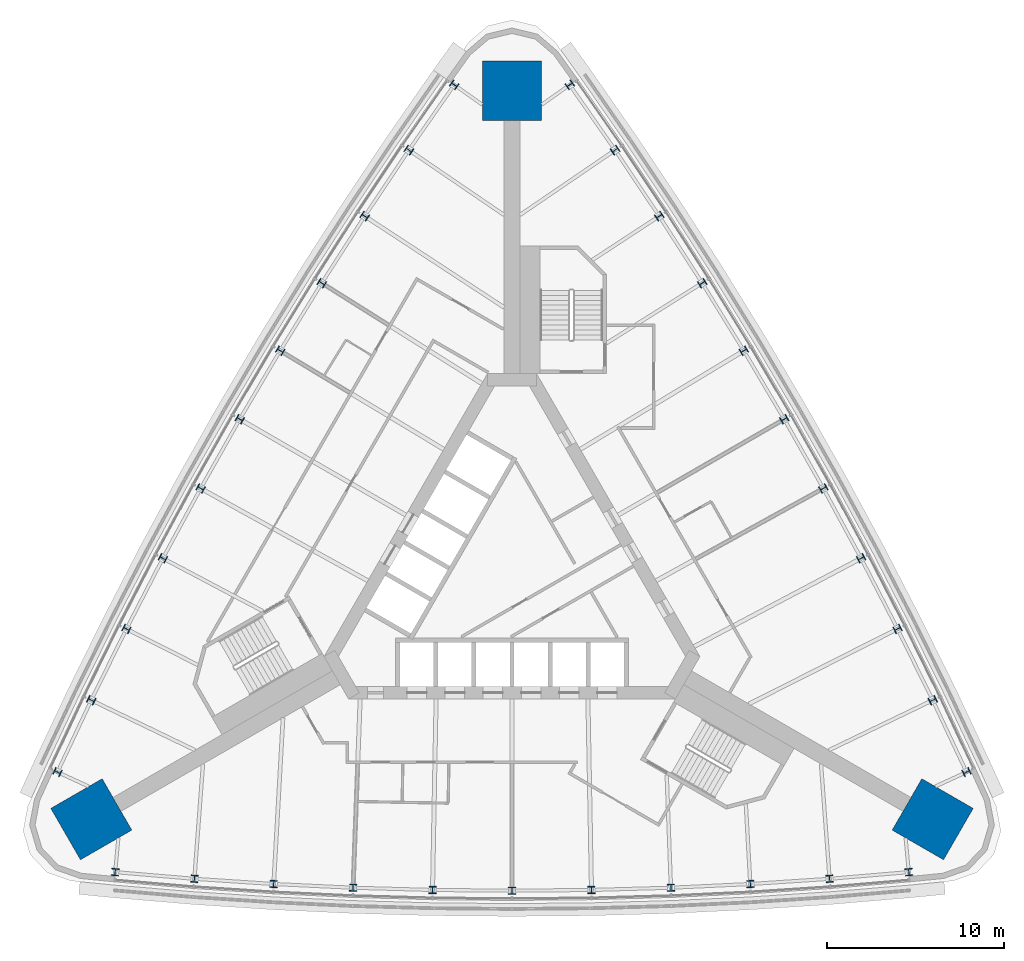
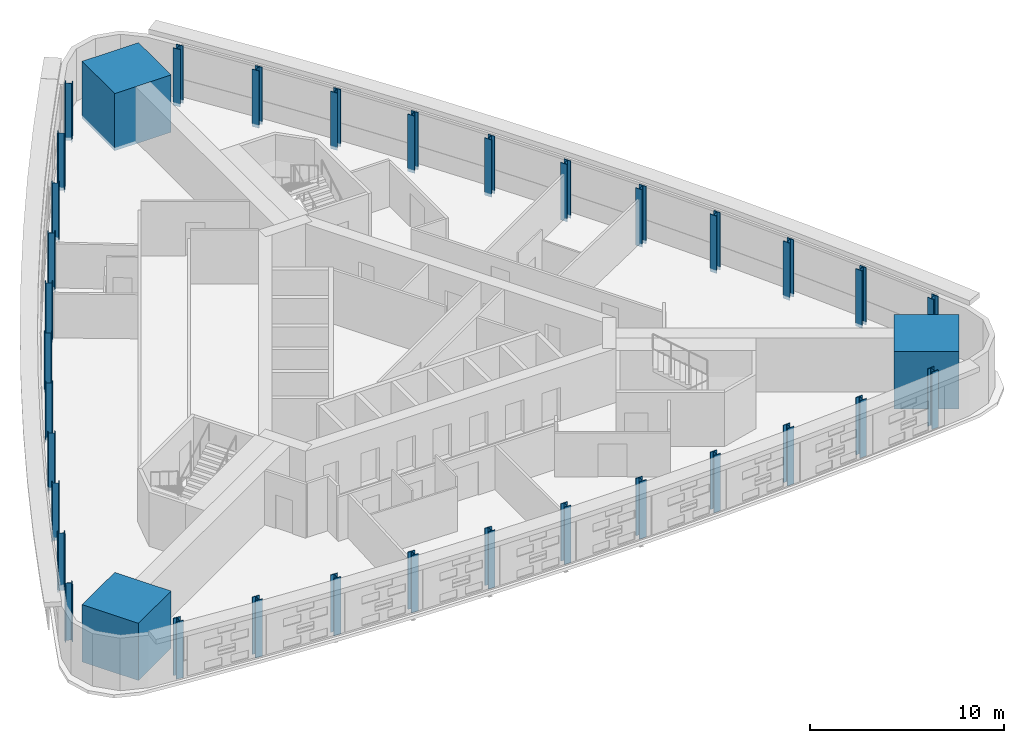
# One storey, part 1 of 14: 36 columns.
"""IFC4 building model written with IfcOpenShell, lengths in metres."""

from ifc_helpers import new_model, si_unit, direction, frame, origin, origin_2d, place, context, subcontext, project, spatial, rectangle, i_section, extrude, material, material_profile, profile_set, type_object, element, save


model = new_model("IFC4")

# Units and contexts
model_context = context("Model", 3, precision=1e-05, world=origin(), true_north=direction((0.0, 1.0)))
body_context = subcontext(model_context, "Body", "Model", "MODEL_VIEW")
ifc_project = project(units=[si_unit("LENGTHUNIT", "METRE"), si_unit("AREAUNIT", "SQUARE_METRE"), si_unit("VOLUMEUNIT", "CUBIC_METRE"), si_unit("PLANEANGLEUNIT", "RADIAN"), si_unit("MASSUNIT", "GRAM", prefix="KILO")], contexts=[model_context])

# Site, building, storey
site_placement = place(None, origin())
site = spatial("IfcSite", under=ifc_project, at=site_placement, CompositionType="ELEMENT")
building_placement = place(site_placement, origin())
building = spatial("IfcBuilding", under=site, at=building_placement, Name="Noor Cloister Tower", CompositionType="ELEMENT")
storey_placement = place(building_placement, frame((0.0, 0.0, 34.800048828125)))
storey = spatial("IfcBuildingStorey", under=building, at=storey_placement, Name="L08", CompositionType="ELEMENT", Elevation=34.800048828125)

# Columns
ifc_material_1 = material(Name="Steel ASTM A992 Gr 50", Category="steel")
ifc_material_profile_1 = material_profile(ifc_material_1, i_section(OverallWidth=0.404052734375, OverallDepth=0.406005859375, WebThickness=0.027099609375, FlangeThickness=0.043701171875, FilletRadius=0.01513671875, at=origin_2d()), Name="W360x347")
ifc_profile_set_1 = profile_set([ifc_material_profile_1], Name="Steel ASTM A992 Gr 50")
column_type_1 = type_object("IfcColumnType", Name="Column W360x347", PredefinedType="COLUMN", material=ifc_profile_set_1)
for number, where, z_axis, x_axis, name in (
    (1, (-3.260498046875, 27.765869140625, -0.199951171875), (0.0, 0.0, 1.0), (-0.578783307573, -0.815481381072, 0.0), "Column NW 01 L08"),
    (2, (-5.82470703125, 24.08056640625, -0.199951171875), (0.0, 0.0, 1.0), (-0.563410841434, -0.826176871956, 0.0), "Column NW 02 L08"),
    (3, (-8.3193359375, 20.34765625, -0.199951171875), (0.0, 0.0, 1.0), (-0.547840783582, -0.836582617465, 0.0), "Column NW 03 L08"),
    (4, (-10.74365234375, 16.56884765625, -0.199951171875), (0.0, 0.0, 1.0), (-0.532078594563, -0.846694968219, 0.0), "Column NW 04 L08"),
    (5, (-13.0966796875, 12.745361328125, -0.199951171875), (0.0, 0.0, 1.0), (-0.516129802245, -0.856510377774, 0.0), "Column NW 05 L08"),
    (6, (-15.3779296875, 8.87841796875, -0.199951171875), (0.0, 0.0, 1.0), (-0.5, -0.866025403784, 0.0), "Column NW 06 L08"),
    (7, (-17.586181640625, 4.969482421875, -0.199951171875), (0.0, 0.0, 1.0), (-0.483694844635, -0.875236709282, 0.0), "Column NW 07 L08"),
    (8, (-19.720947265625, 1.019775390625, -0.199951171875), (0.0, 0.0, 1.0), (-0.467220054453, -0.884141063811, 0.0), "Column NW 08 L08"),
    (9, (-21.78125, -2.96923828125, -0.199951171875), (0.0, 0.0, 1.0), (-0.450581407298, -0.892735344543, 0.0), "Column NW 09 L08"),
    (10, (-23.7666015625, -6.99609375, -0.199951171875), (0.0, 0.0, 1.0), (-0.433784738416, -0.901016537427, 0.0), "Column NW 10 L08"),
    (11, (-25.67626953125, -11.059326171875, -0.199951171875), (0.0, 0.0, 1.0), (-0.416835938535, -0.908981738181, 0.0), "Column NW 11 L08"),
    (12, (-22.415771484375, -16.70654296875, -0.199951171875), (0.0, 0.0, 1.0), (0.995619246108, -0.093500357109, 0.0), "Column S 01 L08"),
    (13, (-17.94189453125, -17.08447265625, -0.199951171875), (0.0, 0.0, 1.0), (0.99719557985, -0.074839665471, 0.0), "Column S 02 L08"),
    (14, (-13.4619140625, -17.378662109375, -0.199951171875), (0.0, 0.0, 1.0), (0.99842219088, -0.056152727079, 0.0), "Column S 03 L08"),
    (15, (-8.977294921875, -17.588623046875, -0.199951171875), (0.0, 0.0, 1.0), (0.999298649016, -0.037446095592, 0.0), "Column S 04 L08"),
    (16, (-4.489501953125, -17.71484375, -0.199951171875), (0.0, 0.0, 1.0), (0.99982464688, -0.018726331508, 0.0), "Column S 05 L08"),
    (17, (0.0, -17.7568359375, -0.199951171875), (0.0, 0.0, 1.0), (1.0, 0.0, 0.0), "Column S 06 L08"),
    (18, (4.489501953125, -17.71484375, -0.199951171875), (0.0, 0.0, 1.0), (0.99982464688, 0.018726331508, 0.0), "Column S 07 L08"),
    (19, (8.977294921875, -17.588623046875, -0.199951171875), (0.0, 0.0, 1.0), (0.999298649016, 0.037446095592, 0.0), "Column S 08 L08"),
    (20, (13.4619140625, -17.378662109375, -0.199951171875), (0.0, 0.0, 1.0), (0.99842219088, 0.056152727079, 0.0), "Column S 09 L08"),
    (21, (17.94189453125, -17.08447265625, -0.199951171875), (0.0, 0.0, 1.0), (0.99719557985, 0.074839665471, 0.0), "Column S 10 L08"),
    (22, (22.415771484375, -16.70654296875, -0.199951171875), (0.0, 0.0, 1.0), (0.995619246108, 0.093500357109, 0.0), "Column S 11 L08"),
    (23, (25.67626953125, -11.059326171875, -0.199951171875), (0.0, 0.0, 1.0), (-0.416835938535, 0.908981738181, 0.0), "Column NE 01 L08"),
    (24, (23.7666015625, -6.99609375, -0.199951171875), (0.0, 0.0, 1.0), (-0.433784738416, 0.901016537427, 0.0), "Column NE 02 L08"),
    (25, (21.78125, -2.96923828125, -0.199951171875), (0.0, 0.0, 1.0), (-0.450581407298, 0.892735344543, 0.0), "Column NE 03 L08"),
    (26, (19.720947265625, 1.019775390625, -0.199951171875), (0.0, 0.0, 1.0), (-0.467220054453, 0.884141063811, 0.0), "Column NE 04 L08"),
    (27, (17.586181640625, 4.969482421875, -0.199951171875), (0.0, 0.0, 1.0), (-0.483694844635, 0.875236709282, 0.0), "Column NE 05 L08"),
    (28, (15.3779296875, 8.87841796875, -0.199951171875), (0.0, 0.0, 1.0), (-0.5, 0.866025403784, 0.0), "Column NE 06 L08"),
    (29, (13.0966796875, 12.745361328125, -0.199951171875), (0.0, 0.0, 1.0), (-0.516129802245, 0.856510377774, 0.0), "Column NE 07 L08"),
    (30, (10.74365234375, 16.56884765625, -0.199951171875), (0.0, 0.0, 1.0), (-0.532078594563, 0.846694968219, 0.0), "Column NE 08 L08"),
    (31, (8.3193359375, 20.34765625, -0.199951171875), (0.0, 0.0, 1.0), (-0.547840783582, 0.836582617465, 0.0), "Column NE 09 L08"),
    (32, (5.82470703125, 24.08056640625, -0.199951171875), (0.0, 0.0, 1.0), (-0.563410841434, 0.826176871956, 0.0), "Column NE 10 L08"),
    (33, (3.260498046875, 27.765869140625, -0.199951171875), (0.0, 0.0, 1.0), (-0.578783307573, 0.815481381072, 0.0), "Column NE 11 L08"),
):
    element("IfcColumn", number, at=place(storey_placement, frame(where, z_axis=z_axis, x_axis=x_axis)), inside=storey, type_object=column_type_1, Name=name, PredefinedType="COLUMN", context=body_context, shape_type="SweptSolid", body=[
        extrude(i_section(OverallWidth=0.404052734375, OverallDepth=0.406005859375, WebThickness=0.027099609375, FlangeThickness=0.043701171875, FilletRadius=0.01513671875, at=origin_2d()), origin(), (0.0, 0.0, 1.0), 3.599853515625),
    ])
ifc_material_2 = material(Name="Concrete C80/95", Category="concrete")
ifc_material_profile_2 = material_profile(ifc_material_2, rectangle(XDim=3.35009765625, YDim=3.35009765625, at=origin_2d()), Name="RC 3350x3350")
ifc_profile_set_2 = profile_set([ifc_material_profile_2], Name="Concrete C80/95")
column_type_2 = type_object("IfcColumnType", Name="Corner pier 3350 x 3350 C80/95", PredefinedType="COLUMN", material=ifc_profile_set_2)
for number, where, z_axis, x_axis, name in (
    (34, (0.0, 27.43994140625, -0.199951171875), (0.0, 0.0, 1.0), (0.0, 1.0, 0.0), "Corner pier N L08"),
    (35, (-23.763671875, -13.719970703125, -0.199951171875), (0.0, 0.0, 1.0), (-0.866025403784, -0.5, 0.0), "Corner pier SW L08"),
    (36, (23.763671875, -13.719970703125, -0.199951171875), (0.0, 0.0, 1.0), (0.866025403784, -0.5, 0.0), "Corner pier SE L08"),
):
    element("IfcColumn", number, at=place(storey_placement, frame(where, z_axis=z_axis, x_axis=x_axis)), inside=storey, type_object=column_type_2, Name=name, PredefinedType="COLUMN", context=body_context, shape_type="SweptSolid", body=[
        extrude(rectangle(XDim=3.35009765625, YDim=3.35009765625, at=origin_2d()), origin(), (0.0, 0.0, 1.0), 3.599853515625),
    ])

save(model, "model.ifc")
